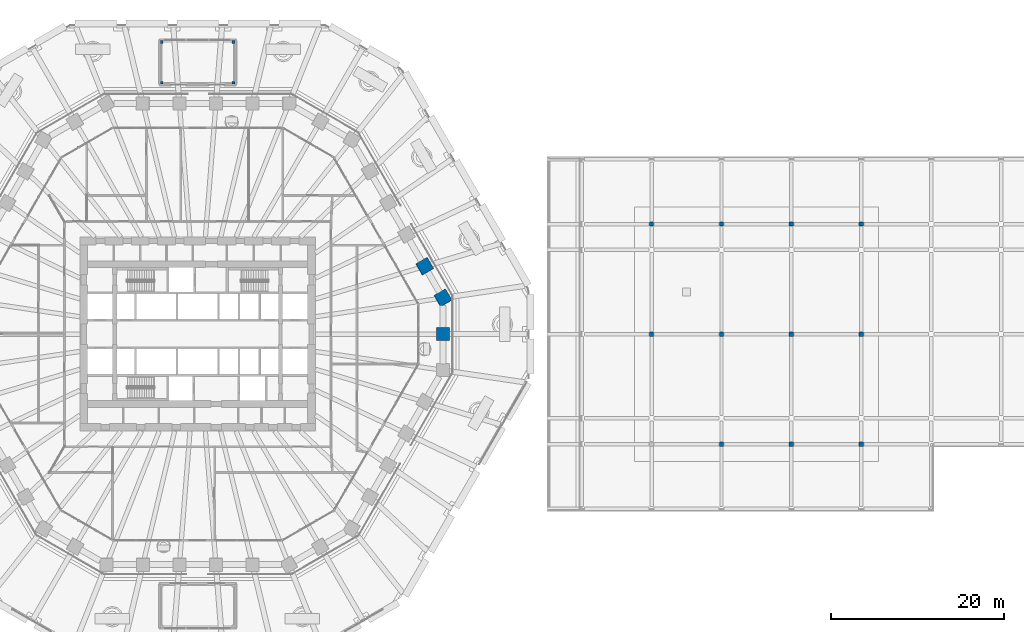
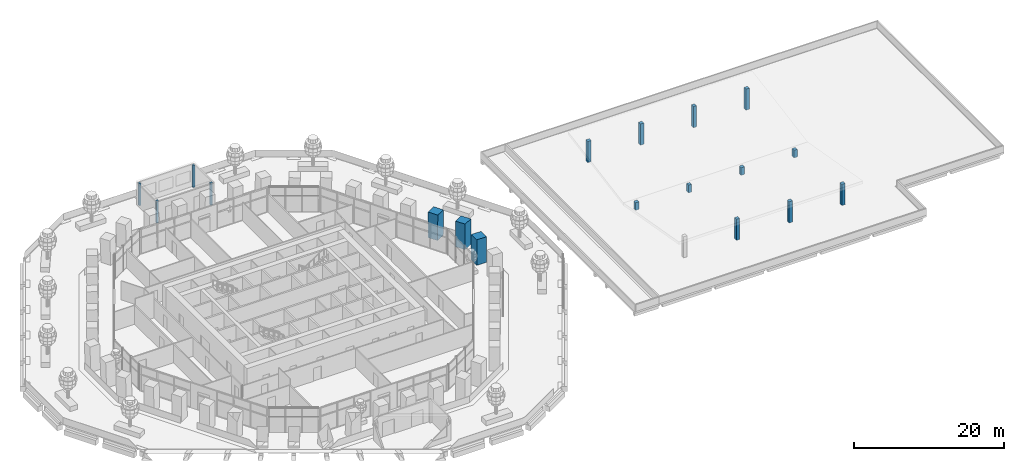
# One storey, part 2 of 32: 18 columns.
"""IFC4 building model written with IfcOpenShell, lengths in metres."""

import ifcopenshell
import ifcopenshell.guid

model = None  # the IFC model being written
_history = None  # IfcOwnerHistory: only IFC2X3 demands one
_inside = {}  # id of a spatial element -> (the spatial element, [elements in it])
_under = {}  # id of a project, library or spatial element -> (it, [spatial elements below it])
_declared = {}  # id of a project -> (the project, [libraries it declares])
_typed = {}  # id of a type object -> (the type object, [elements of that type])
_made_of = {}  # id of a material, layer set ... -> (it, [elements and type objects made of it])


def new_model(schema):
    """Start an empty IFC model of exactly this schema.

    Asked for "IFC4X3", IfcOpenShell would pick the latest addendum, in which some entities
    have other attributes; the version numbers below select the first issue.
    IFC2X3 requires an IfcOwnerHistory on every rooted entity: one is made here for all.
    """
    global model, _history
    if schema == "IFC4X3":
        model = ifcopenshell.file(schema_version=(4, 3, 0, 0))
    else:
        model = ifcopenshell.file(schema=schema)
    _inside.clear()
    _under.clear()
    _declared.clear()
    _typed.clear()
    _made_of.clear()
    _history = None
    if model.schema == "IFC2X3":
        org = make("IfcOrganization", Name="unknown")
        user = make(
            "IfcPersonAndOrganization",
            ThePerson=make("IfcPerson", FamilyName="unknown"),
            TheOrganization=org,
        )
        app = make(
            "IfcApplication",
            ApplicationDeveloper=org,
            Version="unknown",
            ApplicationFullName="unknown",
            ApplicationIdentifier="unknown",
        )
        _history = make(
            "IfcOwnerHistory",
            OwningUser=user,
            OwningApplication=app,
            ChangeAction="ADDED",
            CreationDate=0,
        )
    return model


def make(cls, **values):
    """One entity of the class cls with the attributes given. An attribute that is None is left unset."""
    return model.create_entity(
        cls, **{name: value for name, value in values.items() if value is not None}
    )


def rooted(cls, **values):
    """An entity with a GlobalId (a new one), such as an element, a storey or a relation."""
    return make(cls, GlobalId=ifcopenshell.guid.new(), OwnerHistory=_history, **values)


def si_unit(unit_type, name, prefix=None):
    """IfcSIUnit, for example si_unit("LENGTHUNIT", "METRE", prefix="MILLI")."""
    return make("IfcSIUnit", UnitType=unit_type, Prefix=prefix, Name=name)


def assignment(units):
    """IfcUnitAssignment: the units of a project."""
    return None if units is None else make("IfcUnitAssignment", Units=units)


def point(xyz):
    """IfcCartesianPoint."""
    return None if xyz is None else make("IfcCartesianPoint", Coordinates=xyz)


def direction(xyz):
    """IfcDirection."""
    return None if xyz is None else make("IfcDirection", DirectionRatios=xyz)


def frame(location, z_axis=None, x_axis=None):
    """IfcAxis2Placement3D, a coordinate frame: its origin and axes. An axis left out is left unset."""
    return make(
        "IfcAxis2Placement3D",
        Location=point(location),
        Axis=direction(z_axis),
        RefDirection=direction(x_axis),
    )


def frame_2d(location, x_axis=None):
    """IfcAxis2Placement2D, a coordinate frame in the plane: its origin and x axis."""
    return make(
        "IfcAxis2Placement2D", Location=point(location), RefDirection=direction(x_axis)
    )


def origin():
    """The frame at (0, 0, 0) with its axes left unset."""
    return frame((0.0, 0.0, 0.0))


def origin_2d():
    """The frame at (0, 0) in the plane with its x axis left unset."""
    return frame_2d((0.0, 0.0))


def place(relative_to, where):
    """IfcLocalPlacement: puts the frame where relative to a parent placement (None: the world)."""
    return make(
        "IfcLocalPlacement", PlacementRelTo=relative_to, RelativePlacement=where
    )


def context(
    kind, dimensions, precision=None, world=None, true_north=None, identifier=None
):
    """IfcGeometricRepresentationContext, for example the 3D "Model" context."""
    return make(
        "IfcGeometricRepresentationContext",
        ContextIdentifier=identifier,
        ContextType=kind,
        CoordinateSpaceDimension=dimensions,
        Precision=precision,
        WorldCoordinateSystem=world,
        TrueNorth=true_north,
    )


def subcontext(parent, identifier, kind, view, scale=None):
    """IfcGeometricRepresentationSubContext, for example "Body" below "Model"."""
    return make(
        "IfcGeometricRepresentationSubContext",
        ContextIdentifier=identifier,
        ContextType=kind,
        ParentContext=parent,
        TargetScale=scale,
        TargetView=view,
    )


def project(units=None, contexts=None):
    """IfcProject with its units and contexts."""
    return rooted(
        "IfcProject",
        Name="project",
        RepresentationContexts=contexts,
        UnitsInContext=assignment(units),
    )


def spatial(cls, under=None, at=None, **own):
    """A site, building, storey or space (cls), placed at a placement, below another one or the project."""
    s = rooted(cls, ObjectPlacement=at, **own)
    if under is not None:
        _under.setdefault(under.id(), (under, []))[1].append(s)
    return s


def profile(cls, at=None, kind="AREA", **sizes):
    """A parametric profile (cls). Its sizes go by their IFC names, for example OverallWidth=200.0."""
    return make(cls, ProfileType=kind, Position=at, **sizes)


def rectangle(**sizes):
    """IfcRectangleProfileDef."""
    return profile("IfcRectangleProfileDef", **sizes)


def extrude(swept, where, along, depth):
    """IfcExtrudedAreaSolid: the profile swept, set in the frame where, extruded along a direction by depth."""
    return make(
        "IfcExtrudedAreaSolid",
        SweptArea=swept,
        Position=where,
        ExtrudedDirection=direction(along),
        Depth=depth,
    )


def shape(context_of_items, identifier, shape_type, items):
    """IfcShapeRepresentation: the items that make up one representation, for example the "Body"."""
    return make(
        "IfcShapeRepresentation",
        ContextOfItems=context_of_items,
        RepresentationIdentifier=identifier,
        RepresentationType=shape_type,
        Items=items,
    )


def material(Name=None, Category=None):
    """IfcMaterial."""
    return make("IfcMaterial", Name=Name, Category=Category)


def material_profile(
    of_material, cross_section, Name=None, Category=None, Priority=None
):
    """IfcMaterialProfile: a cross section and its material."""
    return make(
        "IfcMaterialProfile",
        Name=Name,
        Material=of_material,
        Profile=cross_section,
        Priority=Priority,
        Category=Category,
    )


def profile_set(profiles, Name=None, composite=None):
    """IfcMaterialProfileSet."""
    return make(
        "IfcMaterialProfileSet",
        Name=Name,
        MaterialProfiles=profiles,
        CompositeProfile=composite,
    )


def made_of(thing, what):
    """Note that an element or type object is made of a material, layer set ...; save() writes the relation."""
    if what is not None:
        _made_of.setdefault(what.id(), (what, []))[1].append(thing)
    return thing


def type_object(cls, material=None, **own):
    """A type object (cls), such as IfcWallType, which elements share."""
    return made_of(rooted(cls, **own), material)


def element(
    cls,
    number,
    at=None,
    inside=None,
    cuts=None,
    type_object=None,
    material=None,
    context=None,
    identifier="Body",
    shape_type=None,
    held_by="IfcProductDefinitionShape",
    body=None,
    shapes=None,
    **own,
):
    """One element of the class cls, such as IfcWall. Its Tag is "e" and its number.

    at: its placement. inside: the storey or other place that contains it. cuts: it is an
    opening in that element (IfcRelVoidsElement). A single representation is given by context,
    identifier, shape_type and body (its items); several are given by shapes. held_by: the class
    of the entity that holds the representations. save() writes the other relations.
    """
    e = rooted(cls, Tag="e%d" % number, ObjectPlacement=at, **own)
    if body is not None:
        shapes = [shape(context, identifier, shape_type, body)]
    if shapes is not None:
        e.Representation = make(held_by, Representations=shapes)
    if inside is not None:
        _inside.setdefault(inside.id(), (inside, []))[1].append(e)
    if cuts is not None:
        rooted(
            "IfcRelVoidsElement", RelatingBuildingElement=cuts, RelatedOpeningElement=e
        )
    if type_object is not None:
        _typed.setdefault(type_object.id(), (type_object, []))[1].append(e)
    return made_of(e, material)


def aggregate(whole, parts):
    """IfcRelAggregates: a whole, such as a stair, and the parts it consists of."""
    return rooted("IfcRelAggregates", RelatingObject=whole, RelatedObjects=parts)


def save(model, path):
    """Write the relations noted so far, then the file.

    IfcRelAggregates (storeys below a building ...), IfcRelContainedInSpatialStructure (elements
    in a storey), IfcRelDefinesByType, IfcRelAssociatesMaterial and IfcRelDeclares: one each for
    every whole, place, type object, material and project.
    """
    for whole, parts in _under.values():
        aggregate(whole, parts)
    for where, things in _inside.values():
        rooted(
            "IfcRelContainedInSpatialStructure",
            RelatedElements=things,
            RelatingStructure=where,
        )
    for kind, things in _typed.values():
        rooted("IfcRelDefinesByType", RelatedObjects=things, RelatingType=kind)
    for what, things in _made_of.values():
        rooted("IfcRelAssociatesMaterial", RelatedObjects=things, RelatingMaterial=what)
    for by, libraries in _declared.values():
        rooted("IfcRelDeclares", RelatingContext=by, RelatedDefinitions=libraries)
    model.write(path)


model = new_model("IFC4")

# Units and contexts
model_context = context("Model", 3, precision=1e-05, world=origin(), true_north=direction((0.0, 1.0)))
body_context = subcontext(model_context, "Body", "Model", "MODEL_VIEW")
ifc_project = project(units=[si_unit("LENGTHUNIT", "METRE"), si_unit("AREAUNIT", "SQUARE_METRE"), si_unit("VOLUMEUNIT", "CUBIC_METRE"), si_unit("PLANEANGLEUNIT", "RADIAN"), si_unit("MASSUNIT", "GRAM", prefix="KILO")], contexts=[model_context])

# Site, building, storey
site_placement = place(None, origin())
site = spatial("IfcSite", under=ifc_project, at=site_placement, CompositionType="ELEMENT")
building_placement = place(site_placement, origin())
building = spatial("IfcBuilding", under=site, at=building_placement, Name="Frailejon Research Tower", CompositionType="ELEMENT")
storey_placement = place(building_placement, frame((0.0, 0.0, 14.60009765625)))
storey = spatial("IfcBuildingStorey", under=building, at=storey_placement, Name="L03", CompositionType="ELEMENT", Elevation=14.60009765625)

# Columns
ifc_material_1 = material(Name="Concrete C70/85", Category="concrete")
ifc_material_profile_1 = material_profile(ifc_material_1, rectangle(XDim=1.5, YDim=1.5, at=origin_2d()), Name="Column 1500")
ifc_profile_set_1 = profile_set([ifc_material_profile_1], Name="Concrete C70/85")
column_type_1 = type_object("IfcColumnType", Name="Column 1500", PredefinedType="COLUMN", material=ifc_profile_set_1)
for number, where, z_axis, x_axis, name in (
    (1, (28.412841796875, 0.0, 0.0), (0.018133721723, 0.031387604711, 0.999342777233), (-2.2310109e-05, 0.999507138094, -0.031392362166), "Column C02"),
    (2, (28.412841796875, 4.1875, 0.0), (0.018133721723, 0.031387604711, 0.999342777233), (-0.50020910326, 0.865715159182, -0.018113977445), "Column C03"),
):
    element("IfcColumn", number, at=place(storey_placement, frame(where, z_axis=z_axis, x_axis=x_axis)), inside=storey, type_object=column_type_1, Name=name, PredefinedType="COLUMN", context=body_context, shape_type="SweptSolid", body=[
        extrude(rectangle(XDim=1.5, YDim=1.5, at=origin_2d()), origin(), (0.0, 0.0, 1.0), 4.052490234375),
    ])
column_placement = place(storey_placement, frame((26.296875, 7.8525390625, 0.0), z_axis=(0.021750699922, 0.025124769716, 0.999447673968), x_axis=(-0.500115634806, 0.865890237028, -0.010883438912)))
element("IfcColumn", 3, at=column_placement, inside=storey, type_object=column_type_1, Name="Column C04", PredefinedType="COLUMN", context=body_context, shape_type="SweptSolid", body=[
    extrude(rectangle(XDim=1.5, YDim=1.5, at=origin_2d()), origin(), (0.0, 0.0, 1.0), 4.052001953125),
])
ifc_material_2 = material(Name="Concrete C35/45", Category="concrete")
ifc_material_profile_2 = material_profile(ifc_material_2, rectangle(XDim=0.5, YDim=0.5, at=origin_2d()), Name="HC umbrella column 500x500")
ifc_profile_set_2 = profile_set([ifc_material_profile_2], Name="Concrete C35/45")
column_type_2 = type_object("IfcColumnType", Name="HC umbrella column 500x500", PredefinedType="COLUMN", material=ifc_profile_set_2)
for number, where, z_axis, x_axis, name in (
    (4, (60.699951171875, -12.75, 0.0), (0.0, 0.0, 1.0), (1.0, 0.0, 0.0), "HC umbrella column B3"),
    (5, (68.800048828125, -12.75, 0.0), (0.0, 0.0, 1.0), (1.0, 0.0, 0.0), "HC umbrella column B4"),
    (6, (76.89990234375, -12.75, 0.0), (0.0, 0.0, 1.0), (1.0, 0.0, 0.0), "HC umbrella column B5"),
):
    element("IfcColumn", number, at=place(storey_placement, frame(where, z_axis=z_axis, x_axis=x_axis)), inside=storey, type_object=column_type_2, Name=name, PredefinedType="COLUMN", context=body_context, shape_type="SweptSolid", body=[
        extrude(rectangle(XDim=0.5, YDim=0.5, at=origin_2d()), origin(), (0.0, 0.0, 1.0), 3.4541015625),
    ])
for number, where, z_axis, x_axis, name in (
    (7, (52.60009765625, 0.0, 0.0), (0.0, 0.0, 1.0), (1.0, 0.0, 0.0), "HC umbrella column D2"),
    (8, (60.699951171875, 0.0, 0.0), (0.0, 0.0, 1.0), (1.0, 0.0, 0.0), "HC umbrella column D3"),
    (9, (68.800048828125, 0.0, 0.0), (0.0, 0.0, 1.0), (1.0, 0.0, 0.0), "HC umbrella column D4"),
    (10, (76.89990234375, 0.0, 0.0), (0.0, 0.0, 1.0), (1.0, 0.0, 0.0), "HC umbrella column D5"),
):
    element("IfcColumn", number, at=place(storey_placement, frame(where, z_axis=z_axis, x_axis=x_axis)), inside=storey, type_object=column_type_2, Name=name, PredefinedType="COLUMN", context=body_context, shape_type="SweptSolid", body=[
        extrude(rectangle(XDim=0.5, YDim=0.5, at=origin_2d()), origin(), (0.0, 0.0, 1.0), 1.25),
    ])
for number, where, z_axis, x_axis, name in (
    (11, (52.60009765625, 12.75, 0.0), (0.0, 0.0, 1.0), (1.0, 0.0, 0.0), "HC umbrella column F2"),
    (12, (60.699951171875, 12.75, 0.0), (0.0, 0.0, 1.0), (1.0, 0.0, 0.0), "HC umbrella column F3"),
    (13, (68.800048828125, 12.75, 0.0), (0.0, 0.0, 1.0), (1.0, 0.0, 0.0), "HC umbrella column F4"),
    (14, (76.89990234375, 12.75, 0.0), (0.0, 0.0, 1.0), (1.0, 0.0, 0.0), "HC umbrella column F5"),
):
    element("IfcColumn", number, at=place(storey_placement, frame(where, z_axis=z_axis, x_axis=x_axis)), inside=storey, type_object=column_type_2, Name=name, PredefinedType="COLUMN", context=body_context, shape_type="SweptSolid", body=[
        extrude(rectangle(XDim=0.5, YDim=0.5, at=origin_2d()), origin(), (0.0, 0.0, 1.0), 3.4541015625),
    ])
ifc_material_3 = material(Name="Concrete C40/50", Category="concrete")
ifc_material_profile_3 = material_profile(ifc_material_3, rectangle(XDim=0.300048828125, YDim=0.300048828125, at=origin_2d()), Name="Pavilion post 300")
ifc_profile_set_3 = profile_set([ifc_material_profile_3], Name="Concrete C40/50")
column_type_3 = type_object("IfcColumnType", Name="Pavilion post 300", PredefinedType="COLUMN", material=ifc_profile_set_3)
for number, where, z_axis, x_axis, name in (
    (15, (4.14990234375, 29.14990234375, 0.0), (0.0, 0.0, 1.0), (1.0, 0.0, 0.0), "Column CP"),
    (16, (-4.14990234375, 29.14990234375, 0.0), (0.0, 0.0, 1.0), (1.0, 0.0, 0.0), "Column CP"),
    (17, (-4.14990234375, 33.85009765625, 0.0), (0.0, 0.0, 1.0), (1.0, 0.0, 0.0), "Column CP"),
    (18, (4.14990234375, 33.85009765625, 0.0), (0.0, 0.0, 1.0), (1.0, 0.0, 0.0), "Column CP"),
):
    element("IfcColumn", number, at=place(storey_placement, frame(where, z_axis=z_axis, x_axis=x_axis)), inside=storey, type_object=column_type_3, Name=name, PredefinedType="COLUMN", context=body_context, shape_type="SweptSolid", body=[
        extrude(rectangle(XDim=0.300048828125, YDim=0.300048828125, at=origin_2d()), origin(), (0.0, 0.0, 1.0), 3.599853515625),
    ])

save(model, "model.ifc")
